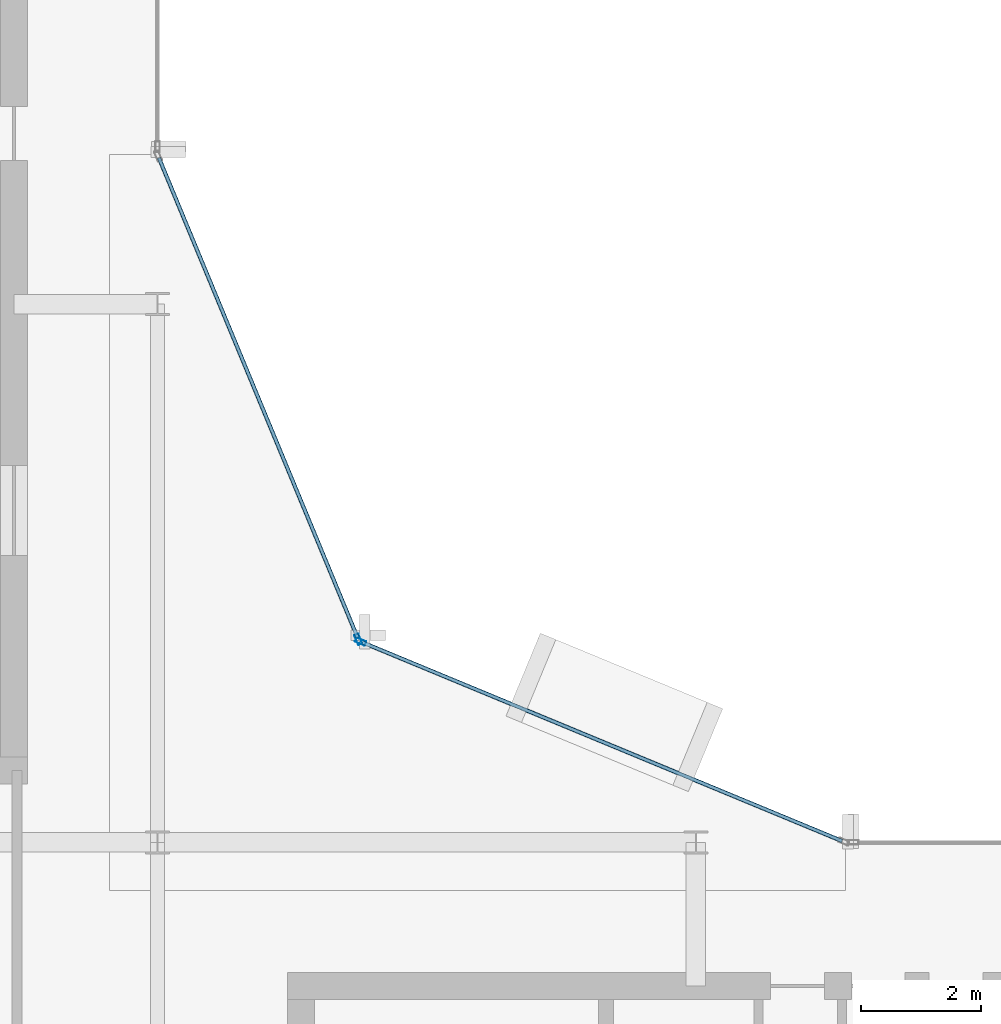
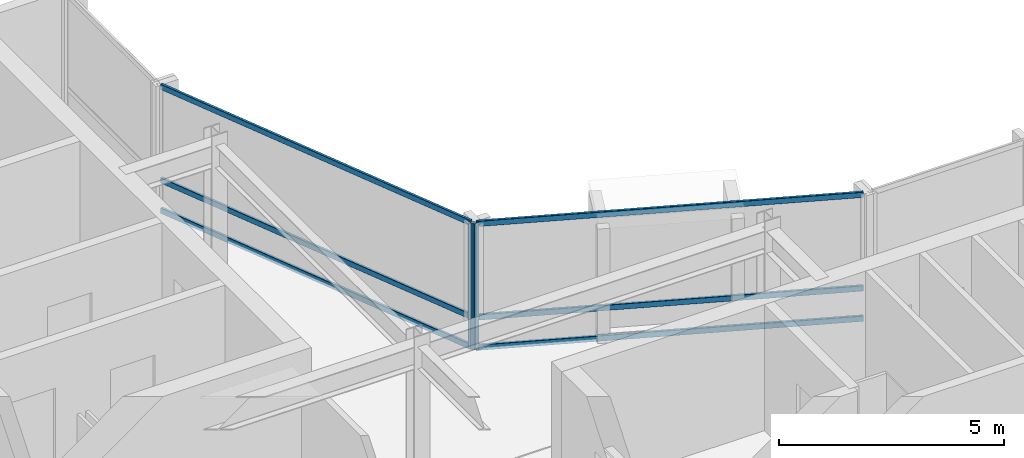
# One storey, part 8 of 19: 8 members, 2 elements without a shape of their own.
"""IFC4 building model written with IfcOpenShell, lengths in metres."""

from ifc_helpers import new_model, si_unit, direction, frame, origin, origin_2d, place, context, subcontext, project, spatial, hollow_rectangle, extrude, material, layer, layer_set, material_profile, profile_set, type_object, element, aggregate, save


model = new_model("IFC4")

# Units and contexts
model_context = context("Model", 3, precision=1e-05, world=origin(), true_north=direction((0.0, 1.0)))
body_context = subcontext(model_context, "Body", "Model", "MODEL_VIEW")
ifc_project = project(units=[si_unit("LENGTHUNIT", "METRE"), si_unit("AREAUNIT", "SQUARE_METRE"), si_unit("VOLUMEUNIT", "CUBIC_METRE"), si_unit("PLANEANGLEUNIT", "RADIAN"), si_unit("MASSUNIT", "GRAM", prefix="KILO")], contexts=[model_context])

# Site, building, storey
site_placement = place(None, origin())
site = spatial("IfcSite", under=ifc_project, at=site_placement, CompositionType="ELEMENT")
building_placement = place(site_placement, origin())
building = spatial("IfcBuilding", under=site, at=building_placement, Name="Solvaryn Broadcast Tower", CompositionType="ELEMENT")
storey_placement = place(building_placement, frame((0.0, 0.0, 244.5)))
storey = spatial("IfcBuildingStorey", under=building, at=storey_placement, Name="L61", CompositionType="ELEMENT", Elevation=244.5)

# Curtain wall, member
ifc_material_1 = material(Name="Aluminium and Terracotta Unitised Curtain Wall", Category="masonry")
ifc_layer = layer(ifc_material_1, 0.199951171875)
ifc_layer_set = layer_set([ifc_layer], Name="CW-SYS2-LOWMID")
curtain_wall_type = type_object("IfcCurtainWallType", Name="CW-SYS2-LOWMID", PredefinedType="NOTDEFINED", material=ifc_layer_set)
curtain_wall_1_placement = place(storey_placement, origin())
curtain_wall_1 = element("IfcCurtainWall", 1, at=curtain_wall_1_placement, inside=storey, type_object=curtain_wall_type, Name="L61 Curtain Wall CN1", PredefinedType="NOTDEFINED")
ifc_material_2 = material(Name="Anodised Aluminium 6063-T6", Category="aluminium")
ifc_material_profile_1 = material_profile(ifc_material_2, hollow_rectangle(XDim=0.074951171875, YDim=0.179931640625, WallThickness=0.00390625, InnerFilletRadius=0.00390625, OuterFilletRadius=0.008056640625, at=origin_2d()))
ifc_profile_set_1 = profile_set([ifc_material_profile_1], Name="Anodised Aluminium 6063-T6")
member_type_1 = type_object("IfcMemberType", Name="CW-MUL-180", PredefinedType="MULLION", material=ifc_profile_set_1)
member_1_placement = place(storey_placement, frame((30.395751953125, 30.3564453125, 0.0), z_axis=(0.0, 0.0, 1.0), x_axis=(-0.382646127145, -0.923894983957, 0.0)))
member_1 = element("IfcMember", 2, at=member_1_placement, type_object=member_type_1, Name="CWS2 mullion 2", PredefinedType="MULLION", context=body_context, shape_type="SweptSolid", body=[
    extrude(hollow_rectangle(XDim=0.074951171875, YDim=0.179931640625, WallThickness=0.00390625, InnerFilletRadius=0.00390625, OuterFilletRadius=0.008056640625, at=origin_2d()), origin(), (0.0, 0.0, 1.0), 3.419921875),
])

curtain_wall_2_placement = place(storey_placement, origin())
curtain_wall_2 = element("IfcCurtainWall", 3, at=curtain_wall_2_placement, inside=storey, type_object=curtain_wall_type, Name="L61 Curtain Wall CN2", PredefinedType="NOTDEFINED")
member_2_placement = place(storey_placement, frame((30.3564453125, 30.395751953125, 0.0), z_axis=(0.0, 0.0, 1.0), x_axis=(-0.923894983957, -0.382646127145, 0.0)))
member_2 = element("IfcMember", 4, at=member_2_placement, type_object=member_type_1, Name="CWS2 mullion 1", PredefinedType="MULLION", context=body_context, shape_type="SweptSolid", body=[
    extrude(hollow_rectangle(XDim=0.074951171875, YDim=0.179931640625, WallThickness=0.00390625, InnerFilletRadius=0.00390625, OuterFilletRadius=0.008056640625, at=origin_2d()), origin(), (0.0, 0.0, 1.0), 3.419921875),
])

# Member
ifc_material_3 = material(Name="Anodised Aluminium 6063-T6", Category="aluminium")
ifc_material_profile_2 = material_profile(ifc_material_3, hollow_rectangle(XDim=0.06494140625, YDim=0.14990234375, WallThickness=0.00390625, InnerFilletRadius=0.00390625, OuterFilletRadius=0.008056640625, at=origin_2d()))
ifc_profile_set_2 = profile_set([ifc_material_profile_2], Name="Anodised Aluminium 6063-T6")
member_type_2 = type_object("IfcMemberType", Name="CW-TRN-150", PredefinedType="USERDEFINED", material=ifc_profile_set_2)
member_3_placement = place(storey_placement, frame((38.444580078125, 27.02294921875, 0.030029296875), z_axis=(-0.923899282177, 0.382635748975, 0.0), x_axis=(-0.382635748975, -0.923899282177, 0.0)))
member_3 = element("IfcMember", 5, at=member_3_placement, type_object=member_type_2, Name="CWS2 transom 1.1", ObjectType="TRANSOM", PredefinedType="USERDEFINED", context=body_context, shape_type="SweptSolid", body=[
    extrude(hollow_rectangle(XDim=0.06494140625, YDim=0.14990234375, WallThickness=0.00390625, InnerFilletRadius=0.00390625, OuterFilletRadius=0.008056640625, at=origin_2d()), origin(), (0.0, 0.0, 1.0), 8.681884765625),
])

member_4_placement = place(storey_placement, frame((38.444580078125, 27.02294921875, 0.85009765625), z_axis=(-0.923899282177, 0.382635748975, 0.0), x_axis=(-0.382635748975, -0.923899282177, 0.0)))
member_4 = element("IfcMember", 6, at=member_4_placement, type_object=member_type_2, Name="CWS2 transom 1.2", ObjectType="TRANSOM", PredefinedType="USERDEFINED", context=body_context, shape_type="SweptSolid", body=[
    extrude(hollow_rectangle(XDim=0.06494140625, YDim=0.14990234375, WallThickness=0.00390625, InnerFilletRadius=0.00390625, OuterFilletRadius=0.008056640625, at=origin_2d()), origin(), (0.0, 0.0, 1.0), 8.681884765625),
])

member_5_placement = place(storey_placement, frame((38.444580078125, 27.02294921875, 3.389892578125), z_axis=(-0.923899282177, 0.382635748975, 0.0), x_axis=(-0.382635748975, -0.923899282177, 0.0)))
member_5 = element("IfcMember", 7, at=member_5_placement, type_object=member_type_2, Name="CWS2 transom 1.3", ObjectType="TRANSOM", PredefinedType="USERDEFINED", context=body_context, shape_type="SweptSolid", body=[
    extrude(hollow_rectangle(XDim=0.06494140625, YDim=0.14990234375, WallThickness=0.00390625, InnerFilletRadius=0.00390625, OuterFilletRadius=0.008056640625, at=origin_2d()), origin(), (0.0, 0.0, 1.0), 8.681884765625),
])

aggregate(curtain_wall_1, [member_1, member_3, member_4, member_5])

member_6_placement = place(storey_placement, frame((30.344970703125, 30.42333984375, 0.030029296875), z_axis=(-0.382635748975, 0.923899282177, 0.0), x_axis=(-0.923899282177, -0.382635748975, 0.0)))
member_6 = element("IfcMember", 8, at=member_6_placement, type_object=member_type_2, Name="CWS2 transom 1.1", ObjectType="TRANSOM", PredefinedType="USERDEFINED", context=body_context, shape_type="SweptSolid", body=[
    extrude(hollow_rectangle(XDim=0.06494140625, YDim=0.14990234375, WallThickness=0.00390625, InnerFilletRadius=0.00390625, OuterFilletRadius=0.008056640625, at=origin_2d()), origin(), (0.0, 0.0, 1.0), 8.681884765625),
])

member_7_placement = place(storey_placement, frame((30.344970703125, 30.42333984375, 0.85009765625), z_axis=(-0.382635748975, 0.923899282177, 0.0), x_axis=(-0.923899282177, -0.382635748975, 0.0)))
member_7 = element("IfcMember", 9, at=member_7_placement, type_object=member_type_2, Name="CWS2 transom 1.2", ObjectType="TRANSOM", PredefinedType="USERDEFINED", context=body_context, shape_type="SweptSolid", body=[
    extrude(hollow_rectangle(XDim=0.06494140625, YDim=0.14990234375, WallThickness=0.00390625, InnerFilletRadius=0.00390625, OuterFilletRadius=0.008056640625, at=origin_2d()), origin(), (0.0, 0.0, 1.0), 8.681884765625),
])

member_8_placement = place(storey_placement, frame((30.344970703125, 30.42333984375, 3.389892578125), z_axis=(-0.382635748975, 0.923899282177, 0.0), x_axis=(-0.923899282177, -0.382635748975, 0.0)))
member_8 = element("IfcMember", 10, at=member_8_placement, type_object=member_type_2, Name="CWS2 transom 1.3", ObjectType="TRANSOM", PredefinedType="USERDEFINED", context=body_context, shape_type="SweptSolid", body=[
    extrude(hollow_rectangle(XDim=0.06494140625, YDim=0.14990234375, WallThickness=0.00390625, InnerFilletRadius=0.00390625, OuterFilletRadius=0.008056640625, at=origin_2d()), origin(), (0.0, 0.0, 1.0), 8.681884765625),
])

aggregate(curtain_wall_2, [member_2, member_6, member_7, member_8])

save(model, "model.ifc")
